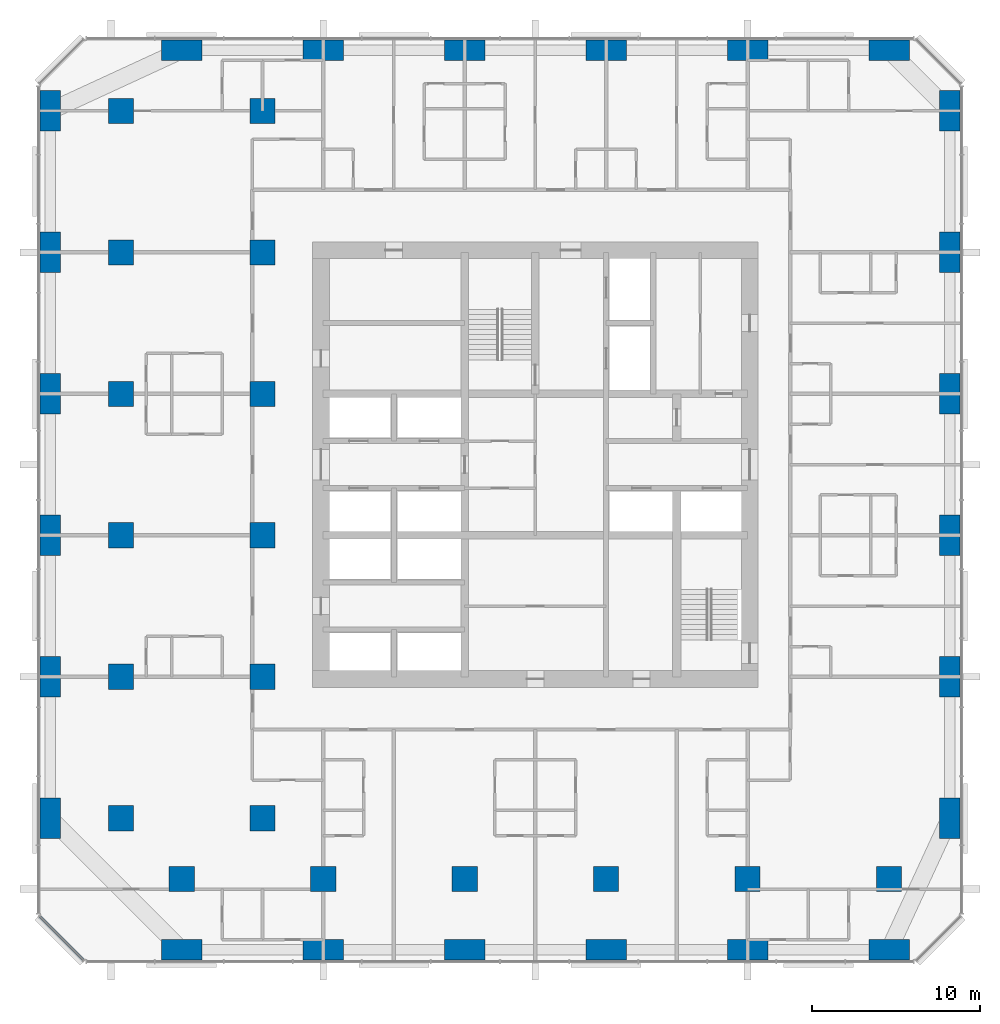
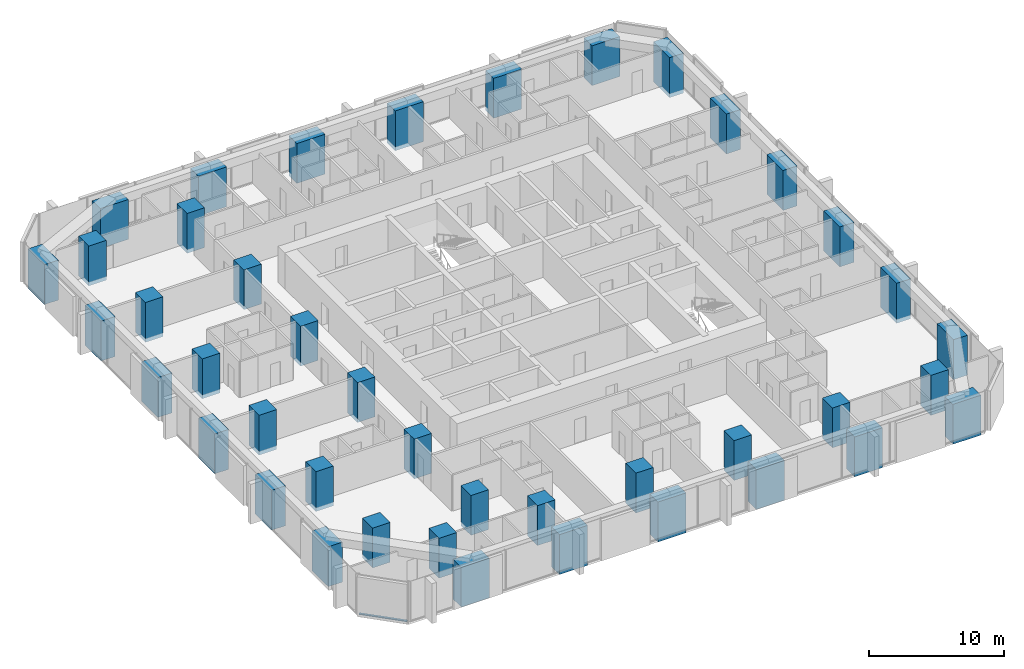
# One storey, part 1 of 14: 42 columns, 1 member, 1 element without a shape of its own.
"""IFC4 building model written with IfcOpenShell, lengths in metres."""

from ifc_helpers import new_model, si_unit, direction, frame, origin, origin_2d, place, context, subcontext, project, spatial, rectangle, extrude, material, material_profile, profile_set, type_object, element, aggregate, save


model = new_model("IFC4")

# Units and contexts
model_context = context("Model", 3, precision=1e-05, world=origin(), true_north=direction((0.0, 1.0)))
body_context = subcontext(model_context, "Body", "Model", "MODEL_VIEW")
ifc_project = project(units=[si_unit("LENGTHUNIT", "METRE"), si_unit("AREAUNIT", "SQUARE_METRE"), si_unit("VOLUMEUNIT", "CUBIC_METRE"), si_unit("PLANEANGLEUNIT", "RADIAN"), si_unit("MASSUNIT", "GRAM", prefix="KILO")], contexts=[model_context])

# Site, building, storey
site_placement = place(None, origin())
site = spatial("IfcSite", under=ifc_project, at=site_placement, CompositionType="ELEMENT")
building_placement = place(site_placement, origin())
building = spatial("IfcBuilding", under=site, at=building_placement, Name="Dunama Terrace Hotel", CompositionType="ELEMENT")
storey_placement = place(building_placement, frame((0.0, 0.0, 126.0)))
storey = spatial("IfcBuildingStorey", under=building, at=storey_placement, Name="L32", CompositionType="ELEMENT", Elevation=126.0)

# Columns
ifc_material_1 = material(Name="Concrete C60/75", Category="concrete")
ifc_material_profile_1 = material_profile(ifc_material_1, rectangle(XDim=1.199951171875, YDim=2.39990234375, at=origin_2d()), Name="RC 1200x2400")
ifc_profile_set_1 = profile_set([ifc_material_profile_1], Name="Concrete C60/75")
column_type_1 = type_object("IfcColumnType", Name="Column RC 1200x2400", PredefinedType="COLUMN", material=ifc_profile_set_1)
for number, where, z_axis, x_axis, name in (
    (1, (0.60009765625, 8.39990234375, -0.35009765625), (0.0, 0.0, 1.0), (1.0, 0.0, 0.0), "Column L32 +0.6/+8.4"),
    (2, (0.60009765625, 16.800048828125, -0.35009765625), (0.0, 0.0, 1.0), (1.0, 0.0, 0.0), "Column L32 +0.6/+16.8"),
    (3, (0.60009765625, 25.199951171875, -0.35009765625), (0.0, 0.0, 1.0), (1.0, 0.0, 0.0), "Column L32 +0.6/+25.2"),
    (4, (0.60009765625, 33.60009765625, -0.35009765625), (0.0, 0.0, 1.0), (1.0, 0.0, 0.0), "Column L32 +0.6/+33.6"),
    (5, (0.60009765625, 42.0, -0.35009765625), (0.0, 0.0, 1.0), (1.0, 0.0, 0.0), "Column L32 +0.6/+42.0"),
    (6, (0.60009765625, 50.39990234375, -0.35009765625), (0.0, 0.0, 1.0), (1.0, 0.0, 0.0), "Column L32 +0.6/+50.4"),
    (7, (54.0, 8.39990234375, -0.35009765625), (0.0, 0.0, 1.0), (1.0, 0.0, 0.0), "Column L32 +54.0/+8.4"),
    (8, (54.0, 16.800048828125, -0.35009765625), (0.0, 0.0, 1.0), (1.0, 0.0, 0.0), "Column L32 +54.0/+16.8"),
    (9, (54.0, 25.199951171875, -0.35009765625), (0.0, 0.0, 1.0), (1.0, 0.0, 0.0), "Column L32 +54.0/+25.2"),
    (10, (54.0, 33.60009765625, -0.35009765625), (0.0, 0.0, 1.0), (1.0, 0.0, 0.0), "Column L32 +54.0/+33.6"),
    (11, (54.0, 42.0, -0.35009765625), (0.0, 0.0, 1.0), (1.0, 0.0, 0.0), "Column L32 +54.0/+42.0"),
    (12, (54.0, 50.39990234375, -0.35009765625), (0.0, 0.0, 1.0), (1.0, 0.0, 0.0), "Column L32 +54.0/+50.4"),
):
    element("IfcColumn", number, at=place(storey_placement, frame(where, z_axis=z_axis, x_axis=x_axis)), inside=storey, type_object=column_type_1, Name=name, PredefinedType="COLUMN", context=body_context, shape_type="SweptSolid", body=[
        extrude(rectangle(XDim=1.199951171875, YDim=2.39990234375, at=origin_2d()), origin(), (0.0, 0.0, 1.0), 3.60009765625),
    ])
ifc_material_2 = material(Name="Concrete C60/75", Category="concrete")
ifc_material_profile_2 = material_profile(ifc_material_2, rectangle(XDim=1.5, YDim=1.5, at=origin_2d()), Name="RC 1500x1500")
ifc_profile_set_2 = profile_set([ifc_material_profile_2], Name="Concrete C60/75")
column_type_2 = type_object("IfcColumnType", Name="Column RC 1500x1500", PredefinedType="COLUMN", material=ifc_profile_set_2)
for number, where, z_axis, x_axis, name in (
    (13, (4.800048828125, 8.39990234375, -0.35009765625), (0.0, 0.0, 1.0), (1.0, 0.0, 0.0), "Column L32 +4.8/+8.4"),
    (14, (4.800048828125, 16.800048828125, -0.35009765625), (0.0, 0.0, 1.0), (1.0, 0.0, 0.0), "Column L32 +4.8/+16.8"),
    (15, (4.800048828125, 25.199951171875, -0.35009765625), (0.0, 0.0, 1.0), (1.0, 0.0, 0.0), "Column L32 +4.8/+25.2"),
    (16, (4.800048828125, 33.60009765625, -0.35009765625), (0.0, 0.0, 1.0), (1.0, 0.0, 0.0), "Column L32 +4.8/+33.6"),
    (17, (4.800048828125, 42.0, -0.35009765625), (0.0, 0.0, 1.0), (1.0, 0.0, 0.0), "Column L32 +4.8/+42.0"),
    (18, (4.800048828125, 50.39990234375, -0.35009765625), (0.0, 0.0, 1.0), (1.0, 0.0, 0.0), "Column L32 +4.8/+50.4"),
    (19, (8.39990234375, 4.800048828125, -0.35009765625), (0.0, 0.0, 1.0), (1.0, 0.0, 0.0), "Column L32 +8.4/+4.8"),
    (20, (13.199951171875, 8.39990234375, -0.35009765625), (0.0, 0.0, 1.0), (1.0, 0.0, 0.0), "Column L32 +13.2/+8.4"),
    (21, (13.199951171875, 16.800048828125, -0.35009765625), (0.0, 0.0, 1.0), (1.0, 0.0, 0.0), "Column L32 +13.2/+16.8"),
    (22, (13.199951171875, 25.199951171875, -0.35009765625), (0.0, 0.0, 1.0), (1.0, 0.0, 0.0), "Column L32 +13.2/+25.2"),
    (23, (13.199951171875, 33.60009765625, -0.35009765625), (0.0, 0.0, 1.0), (1.0, 0.0, 0.0), "Column L32 +13.2/+33.6"),
    (24, (13.199951171875, 42.0, -0.35009765625), (0.0, 0.0, 1.0), (1.0, 0.0, 0.0), "Column L32 +13.2/+42.0"),
    (25, (13.199951171875, 50.39990234375, -0.35009765625), (0.0, 0.0, 1.0), (1.0, 0.0, 0.0), "Column L32 +13.2/+50.4"),
    (26, (16.800048828125, 4.800048828125, -0.35009765625), (0.0, 0.0, 1.0), (1.0, 0.0, 0.0), "Column L32 +16.8/+4.8"),
    (27, (25.199951171875, 4.800048828125, -0.35009765625), (0.0, 0.0, 1.0), (1.0, 0.0, 0.0), "Column L32 +25.2/+4.8"),
    (28, (33.60009765625, 4.800048828125, -0.35009765625), (0.0, 0.0, 1.0), (1.0, 0.0, 0.0), "Column L32 +33.6/+4.8"),
    (29, (42.0, 4.800048828125, -0.35009765625), (0.0, 0.0, 1.0), (1.0, 0.0, 0.0), "Column L32 +42.0/+4.8"),
    (30, (50.39990234375, 4.800048828125, -0.35009765625), (0.0, 0.0, 1.0), (1.0, 0.0, 0.0), "Column L32 +50.4/+4.8"),
):
    element("IfcColumn", number, at=place(storey_placement, frame(where, z_axis=z_axis, x_axis=x_axis)), inside=storey, type_object=column_type_2, Name=name, PredefinedType="COLUMN", context=body_context, shape_type="SweptSolid", body=[
        extrude(rectangle(XDim=1.5, YDim=1.5, at=origin_2d()), origin(), (0.0, 0.0, 1.0), 3.60009765625),
    ])
ifc_material_3 = material(Name="Concrete C60/75", Category="concrete")
ifc_material_profile_3 = material_profile(ifc_material_3, rectangle(XDim=2.39990234375, YDim=1.199951171875, at=origin_2d()), Name="RC 2400x1200")
ifc_profile_set_3 = profile_set([ifc_material_profile_3], Name="Concrete C60/75")
column_type_3 = type_object("IfcColumnType", Name="Column RC 2400x1200", PredefinedType="COLUMN", material=ifc_profile_set_3)
for number, where, z_axis, x_axis, name in (
    (31, (8.39990234375, 0.60009765625, -0.35009765625), (0.0, 0.0, 1.0), (1.0, 0.0, 0.0), "Column L32 +8.4/+0.6"),
    (32, (8.39990234375, 54.0, -0.35009765625), (0.0, 0.0, 1.0), (1.0, 0.0, 0.0), "Column L32 +8.4/+54.0"),
    (33, (16.800048828125, 0.60009765625, -0.35009765625), (0.0, 0.0, 1.0), (1.0, 0.0, 0.0), "Column L32 +16.8/+0.6"),
    (34, (16.800048828125, 54.0, -0.35009765625), (0.0, 0.0, 1.0), (1.0, 0.0, 0.0), "Column L32 +16.8/+54.0"),
    (35, (25.199951171875, 0.60009765625, -0.35009765625), (0.0, 0.0, 1.0), (1.0, 0.0, 0.0), "Column L32 +25.2/+0.6"),
    (36, (25.199951171875, 54.0, -0.35009765625), (0.0, 0.0, 1.0), (1.0, 0.0, 0.0), "Column L32 +25.2/+54.0"),
    (37, (33.60009765625, 0.60009765625, -0.35009765625), (0.0, 0.0, 1.0), (1.0, 0.0, 0.0), "Column L32 +33.6/+0.6"),
    (38, (33.60009765625, 54.0, -0.35009765625), (0.0, 0.0, 1.0), (1.0, 0.0, 0.0), "Column L32 +33.6/+54.0"),
    (39, (42.0, 0.60009765625, -0.35009765625), (0.0, 0.0, 1.0), (1.0, 0.0, 0.0), "Column L32 +42.0/+0.6"),
    (40, (42.0, 54.0, -0.35009765625), (0.0, 0.0, 1.0), (1.0, 0.0, 0.0), "Column L32 +42.0/+54.0"),
    (41, (50.39990234375, 0.60009765625, -0.35009765625), (0.0, 0.0, 1.0), (1.0, 0.0, 0.0), "Column L32 +50.4/+0.6"),
    (42, (50.39990234375, 54.0, -0.35009765625), (0.0, 0.0, 1.0), (1.0, 0.0, 0.0), "Column L32 +50.4/+54.0"),
):
    element("IfcColumn", number, at=place(storey_placement, frame(where, z_axis=z_axis, x_axis=x_axis)), inside=storey, type_object=column_type_3, Name=name, PredefinedType="COLUMN", context=body_context, shape_type="SweptSolid", body=[
        extrude(rectangle(XDim=2.39990234375, YDim=1.199951171875, at=origin_2d()), origin(), (0.0, 0.0, 1.0), 3.60009765625),
    ])

# Curtain wall, member
ifc_material_4 = material(Name="Aluminium curtain wall system", Category="aluminium")
curtain_wall_type = type_object("IfcCurtainWallType", Name="Unitised fritted glass wall CW-B", PredefinedType="NOTDEFINED", material=ifc_material_4)
curtain_wall_placement = place(storey_placement, origin())
curtain_wall = element("IfcCurtainWall", 43, at=curtain_wall_placement, inside=storey, type_object=curtain_wall_type, Name="Unitised fritted glass wall CW-B L32", PredefinedType="NOTDEFINED")
ifc_material_5 = material(Name="Aluminium transom", Category="aluminium")
ifc_material_profile_4 = material_profile(ifc_material_5, rectangle(XDim=0.179931640625, YDim=0.080078125, at=origin_2d()), Name="CWB TRANSOM 180X80")
ifc_profile_set_4 = profile_set([ifc_material_profile_4], Name="Aluminium transom")
member_type = type_object("IfcMemberType", Name="CWB transom 180x80", PredefinedType="USERDEFINED", material=ifc_profile_set_4)
member_placement = place(storey_placement, frame((-0.031982421875, 2.575927734375, 0.0400390625), z_axis=(0.707106781187, -0.707106781187, 0.0), x_axis=(0.707106781187, 0.707106781187, 0.0)))
member = element("IfcMember", 44, at=member_placement, type_object=member_type, Name="CWB transom", ObjectType="TRANSOM", PredefinedType="USERDEFINED", context=body_context, shape_type="SweptSolid", body=[
    extrude(rectangle(XDim=0.179931640625, YDim=0.080078125, at=origin_2d()), origin(), (0.0, 0.0, 1.0), 3.688232421875),
])
aggregate(curtain_wall, [member])

save(model, "model.ifc")
